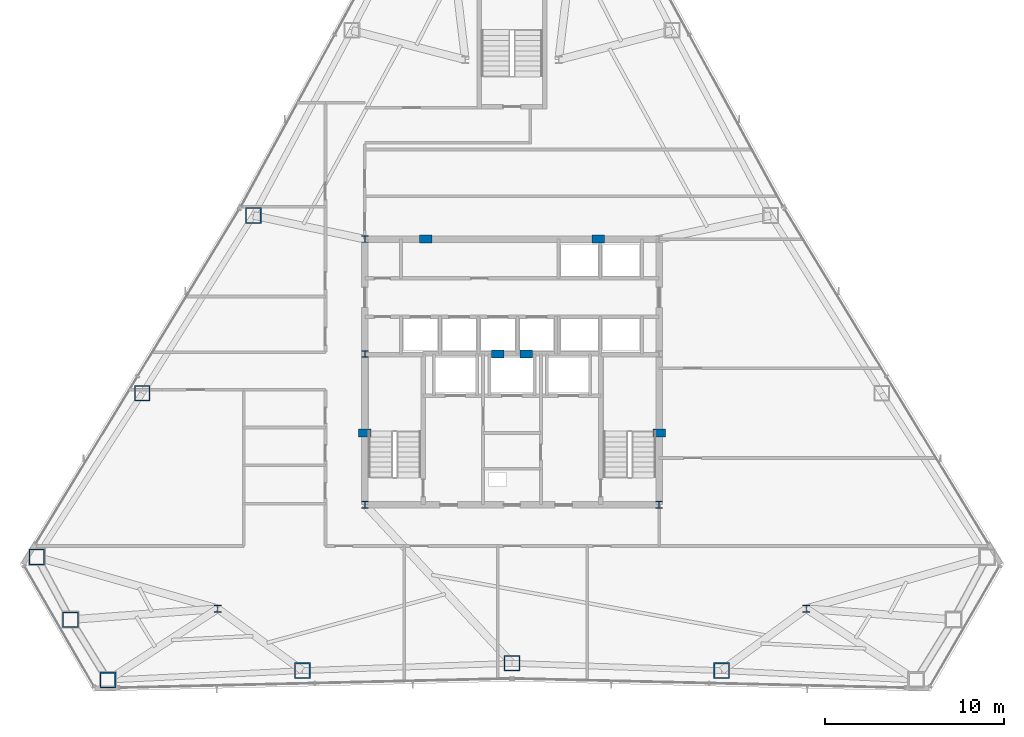
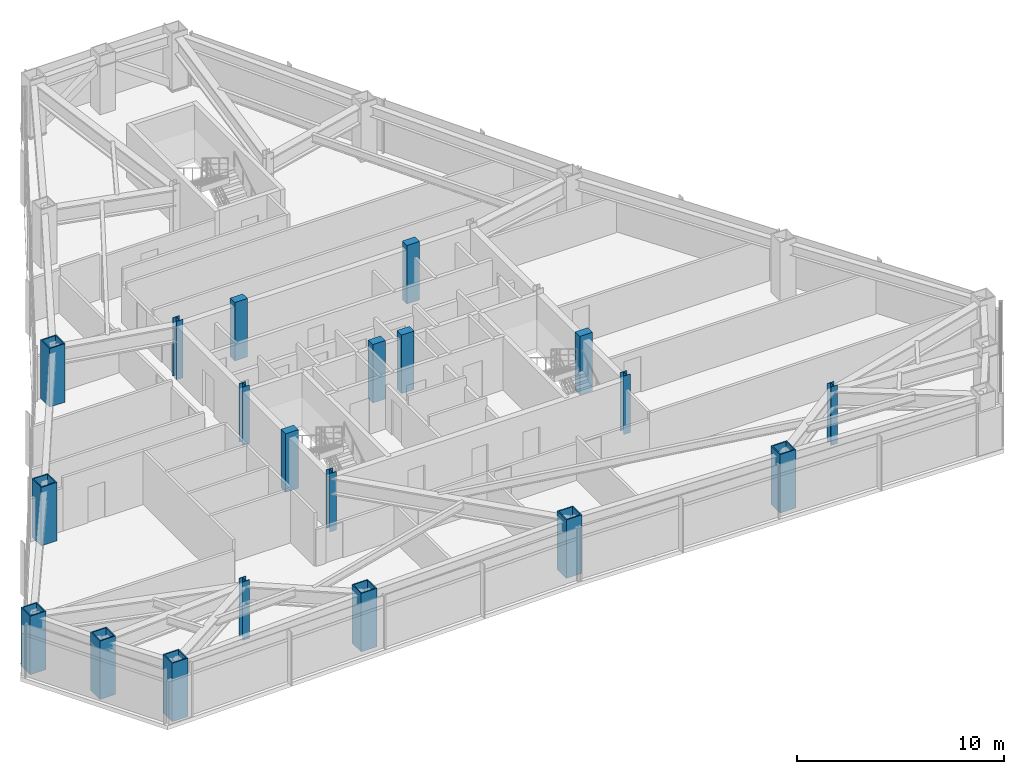
# One storey, part 1 of 12: 20 columns.
"""IFC4 building model written with IfcOpenShell, lengths in metres."""

from ifc_helpers import new_model, si_unit, direction, frame, origin, origin_2d, place, context, subcontext, project, spatial, rectangle, hollow_rectangle, i_section, extrude, material, material_profile, profile_set, type_object, element, save


model = new_model("IFC4")

# Units and contexts
model_context = context("Model", 3, precision=1e-05, world=origin(), true_north=direction((0.0, 1.0)))
body_context = subcontext(model_context, "Body", "Model", "MODEL_VIEW")
ifc_project = project(units=[si_unit("LENGTHUNIT", "METRE"), si_unit("AREAUNIT", "SQUARE_METRE"), si_unit("VOLUMEUNIT", "CUBIC_METRE"), si_unit("PLANEANGLEUNIT", "RADIAN"), si_unit("MASSUNIT", "GRAM", prefix="KILO")], contexts=[model_context])

# Site, building, storey
site_placement = place(None, origin())
site = spatial("IfcSite", under=ifc_project, at=site_placement, CompositionType="ELEMENT")
building_placement = place(site_placement, origin())
building = spatial("IfcBuilding", under=site, at=building_placement, Name="Varakhsha Concourse Tower", CompositionType="ELEMENT")
storey_placement = place(building_placement, frame((0.0, 0.0, 153.949951171875)))
storey = spatial("IfcBuildingStorey", under=building, at=storey_placement, Name="L44", CompositionType="ELEMENT", Elevation=153.949951171875)

# Columns
ifc_material_1 = material(Name="Structural Steel ASTM A992 Grade 50", Category="steel")
ifc_material_profile_1 = material_profile(ifc_material_1, i_section(OverallWidth=0.3740234375, OverallDepth=0.3720703125, WebThickness=0.01611328125, FlangeThickness=0.02587890625, at=origin_2d()), Name="W14X132")
ifc_profile_set_1 = profile_set([ifc_material_profile_1], Name="Structural Steel ASTM A992 Grade 50")
column_type_1 = type_object("IfcColumnType", Name="CL-CORE-W14X132", PredefinedType="COLUMN", material=ifc_profile_set_1)
for number, where, z_axis, x_axis, name in (
    (1, (31.800048828125, 16.39990234375, 0.0), (0.0, 0.0, 1.0), (1.0, 0.0, 0.0), "L44 Core Column CC-SW"),
    (2, (48.199951171875, 16.39990234375, 0.0), (0.0, 0.0, 1.0), (1.0, 0.0, 0.0), "L44 Core Column CC-SE"),
    (3, (31.800048828125, 24.800048828125, 0.0), (0.0, 0.0, 1.0), (1.0, 0.0, 0.0), "L44 Core Column CC-MW"),
    (4, (31.800048828125, 31.199951171875, 0.0), (0.0, 0.0, 1.0), (1.0, 0.0, 0.0), "L44 Core Column CC-NW"),
    (5, (23.60009765625, 10.60009765625, 0.0), (0.0, 0.0, 1.0), (1.0, 0.0, 0.0), "L44 Core Column SS-W"),
    (6, (56.39990234375, 10.60009765625, 0.0), (0.0, 0.0, 1.0), (1.0, 0.0, 0.0), "L44 Core Column SS-E"),
):
    element("IfcColumn", number, at=place(storey_placement, frame(where, z_axis=z_axis, x_axis=x_axis)), inside=storey, type_object=column_type_1, Name=name, PredefinedType="COLUMN", context=body_context, shape_type="SweptSolid", body=[
        extrude(i_section(OverallWidth=0.3740234375, OverallDepth=0.3720703125, WebThickness=0.01611328125, FlangeThickness=0.02587890625, at=origin_2d()), origin(), (0.0, 0.0, 1.0), 3.449951171875),
    ])
ifc_material_2 = material(Name="Concrete fc 65 MPa", Category="concrete")
ifc_material_profile_2 = material_profile(ifc_material_2, rectangle(XDim=0.699951171875, YDim=0.449951171875, at=origin_2d()), Name="RC 700x450")
ifc_profile_set_2 = profile_set([ifc_material_profile_2], Name="Concrete fc 65 MPa")
column_type_2 = type_object("IfcColumnType", Name="CL-PIL-700X450", PredefinedType="PILASTER", material=ifc_profile_set_2)
for number, where, z_axis, x_axis, name in (
    (7, (31.800048828125, 20.39990234375, 0.0), (0.0, 0.0, 1.0), (1.0, 0.0, 0.0), "L44 Core Boundary Pilaster PIL-W1"),
    (8, (48.199951171875, 20.39990234375, 0.0), (0.0, 0.0, 1.0), (1.0, 0.0, 0.0), "L44 Core Boundary Pilaster PIL-E1"),
    (9, (35.199951171875, 31.199951171875, 0.0), (0.0, 0.0, 1.0), (1.0, 0.0, 0.0), "L44 Core Boundary Pilaster PIL-N1"),
    (10, (44.800048828125, 31.199951171875, 0.0), (0.0, 0.0, 1.0), (1.0, 0.0, 0.0), "L44 Core Boundary Pilaster PIL-N2"),
    (11, (39.199951171875, 24.800048828125, 0.0), (0.0, 0.0, 1.0), (1.0, 0.0, 0.0), "L44 Core Boundary Pilaster PIL-M1"),
    (12, (40.800048828125, 24.800048828125, 0.0), (0.0, 0.0, 1.0), (1.0, 0.0, 0.0), "L44 Core Boundary Pilaster PIL-M2"),
):
    element("IfcColumn", number, at=place(storey_placement, frame(where, z_axis=z_axis, x_axis=x_axis)), inside=storey, type_object=column_type_2, Name=name, PredefinedType="PILASTER", context=body_context, shape_type="SweptSolid", body=[
        extrude(rectangle(XDim=0.699951171875, YDim=0.449951171875, at=origin_2d()), origin(), (0.0, 0.0, 1.0), 3.449951171875),
    ])
ifc_material_3 = material(Name="Structural Steel ASTM A572 Grade 50", Category="steel")
ifc_material_profile_3 = material_profile(ifc_material_3, hollow_rectangle(XDim=0.8798828125, YDim=0.8798828125, WallThickness=0.06005859375, at=origin_2d()), Name="BOX 880x880x60")
ifc_profile_set_3 = profile_set([ifc_material_profile_3], Name="Structural Steel ASTM A572 Grade 50")
column_type_3 = type_object("IfcColumnType", Name="CL-TUBE-880", PredefinedType="COLUMN", material=ifc_profile_set_3)
for number, where, z_axis, x_axis, name in (
    (13, (25.587646484375, 32.52099609375, 0.0), (0.0, 0.0, 1.0), (1.0, 0.0, 0.0), "L44 Framed-Tube Column TC05"),
    (14, (19.3955078125, 22.6064453125, 0.0), (0.0, 0.0, 1.0), (1.0, 0.0, 0.0), "L44 Framed-Tube Column TC06"),
    (15, (13.514892578125, 13.481201171875, 0.0), (0.0, 0.0, 1.0), (1.0, 0.0, 0.0), "L44 Framed-Tube Column TC07"),
    (16, (15.388916015625, 9.99072265625, 0.0), (0.0, 0.0, 1.0), (1.0, 0.0, 0.0), "L44 Framed-Tube Column TC08"),
    (17, (17.474609375, 6.62255859375, 0.0), (0.0, 0.0, 1.0), (1.0, 0.0, 0.0), "L44 Framed-Tube Column TC09"),
    (18, (28.31787109375, 7.15283203125, 0.0), (0.0, 0.0, 1.0), (1.0, 0.0, 0.0), "L44 Framed-Tube Column TC10"),
    (19, (40.0, 7.55810546875, 0.0), (0.0, 0.0, 1.0), (1.0, 0.0, 0.0), "L44 Framed-Tube Column TC11"),
    (20, (51.68212890625, 7.15283203125, 0.0), (0.0, 0.0, 1.0), (1.0, 0.0, 0.0), "L44 Framed-Tube Column TC12"),
):
    element("IfcColumn", number, at=place(storey_placement, frame(where, z_axis=z_axis, x_axis=x_axis)), inside=storey, type_object=column_type_3, Name=name, PredefinedType="COLUMN", context=body_context, shape_type="SweptSolid", body=[
        extrude(hollow_rectangle(XDim=0.8798828125, YDim=0.8798828125, WallThickness=0.06005859375, at=origin_2d()), origin(), (0.0, 0.0, 1.0), 3.449951171875),
    ])

save(model, "model.ifc")
